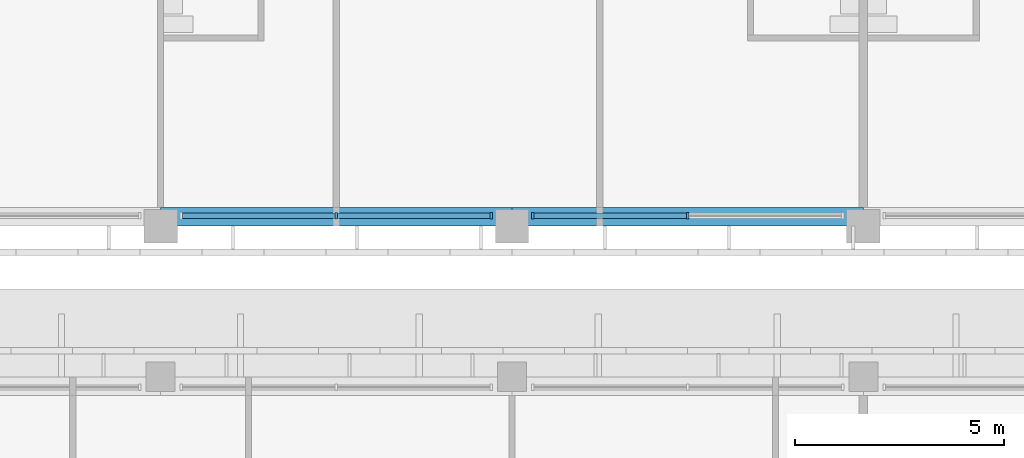
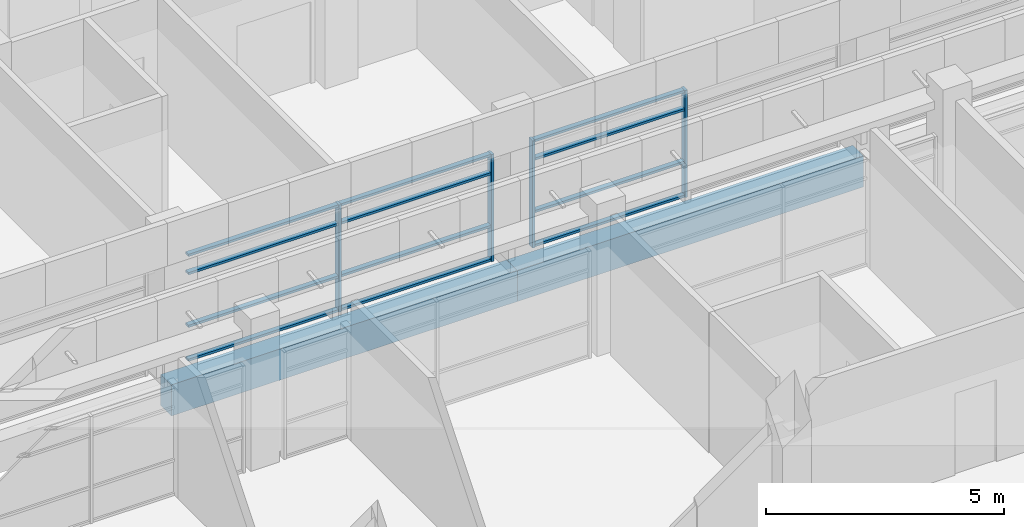
# One storey, part 8 of 71: 16 members, 2 beams, 2 elements without a shape of their own.
"""IFC4 building model written with IfcOpenShell, lengths in metres."""

from ifc_helpers import new_model, si_unit, direction, frame, origin, origin_2d, place, context, subcontext, project, spatial, rectangle, extrude, material, material_profile, profile_set, type_object, element, aggregate, save


model = new_model("IFC4")

# Units and contexts
model_context = context("Model", 3, precision=1e-05, world=origin(), true_north=direction((0.0, 1.0)))
body_context = subcontext(model_context, "Body", "Model", "MODEL_VIEW")
ifc_project = project(units=[si_unit("LENGTHUNIT", "METRE"), si_unit("AREAUNIT", "SQUARE_METRE"), si_unit("VOLUMEUNIT", "CUBIC_METRE"), si_unit("PLANEANGLEUNIT", "RADIAN"), si_unit("MASSUNIT", "GRAM", prefix="KILO")], contexts=[model_context])

# Site, building, storey
site_placement = place(None, origin())
site = spatial("IfcSite", under=ifc_project, at=site_placement, CompositionType="ELEMENT")
building_placement = place(site_placement, origin())
building = spatial("IfcBuilding", under=site, at=building_placement, Name="Bougainvillea Quay General Hospital", CompositionType="ELEMENT")
storey_placement = place(building_placement, frame((0.0, 0.0, 24.89990234375)))
storey = spatial("IfcBuildingStorey", under=building, at=storey_placement, Name="L05", CompositionType="ELEMENT", Elevation=24.89990234375)

# Curtain wall, members
ifc_material_1 = material(Name="Aluminium curtain wall system, powder-coated glazed", Category="aluminium")
curtain_wall_type = type_object("IfcCurtainWallType", Name="Unitised curtain wall CW-3730", PredefinedType="NOTDEFINED", material=ifc_material_1)
curtain_wall_1_placement = place(storey_placement, origin())
curtain_wall_1 = element("IfcCurtainWall", 1, at=curtain_wall_1_placement, inside=storey, type_object=curtain_wall_type, Name="CW-4200 02", PredefinedType="NOTDEFINED")
ifc_material_2 = material(Name="Aluminium mullion, powder-coated charcoal", Category="aluminium")
ifc_material_profile_1 = material_profile(ifc_material_2, rectangle(XDim=0.159912109375, YDim=0.06005859375, at=origin_2d()))
ifc_profile_set_1 = profile_set([ifc_material_profile_1], Name="Aluminium mullion, powder-coated charcoal")
member_type_1 = type_object("IfcMemberType", Name="Curtain wall mullion 160x60", PredefinedType="MULLION", material=ifc_profile_set_1)
member_1_placement = place(storey_placement, frame((96.60009765625, 140.64990234375, 0.0), z_axis=(0.0, 0.0, 1.0), x_axis=(0.0, 1.0, 0.0)))
member_1 = element("IfcMember", 2, at=member_1_placement, type_object=member_type_1, Name="CW-4200 mullion 2", PredefinedType="MULLION", context=body_context, shape_type="SweptSolid", body=[
    extrude(rectangle(XDim=0.159912109375, YDim=0.06005859375, at=origin_2d()), origin(), (0.0, 0.0, 1.0), 2.75),
])
member_2_placement = place(storey_placement, frame((100.300048828125, 140.64990234375, 0.0), z_axis=(0.0, 0.0, 1.0), x_axis=(0.0, 1.0, 0.0)))
member_2 = element("IfcMember", 3, at=member_2_placement, type_object=member_type_1, Name="CW-4200 mullion 3", PredefinedType="MULLION", context=body_context, shape_type="SweptSolid", body=[
    extrude(rectangle(XDim=0.159912109375, YDim=0.06005859375, at=origin_2d()), origin(), (0.0, 0.0, 1.0), 2.75),
])

curtain_wall_2_placement = place(storey_placement, origin())
curtain_wall_2 = element("IfcCurtainWall", 4, at=curtain_wall_2_placement, inside=storey, type_object=curtain_wall_type, Name="CW-4200 03", PredefinedType="NOTDEFINED")
member_3_placement = place(storey_placement, frame((101.300048828125, 140.64990234375, 0.0), z_axis=(0.0, 0.0, 1.0), x_axis=(0.0, 1.0, 0.0)))
member_3 = element("IfcMember", 5, at=member_3_placement, type_object=member_type_1, Name="CW-4200 mullion 1", PredefinedType="MULLION", context=body_context, shape_type="SweptSolid", body=[
    extrude(rectangle(XDim=0.159912109375, YDim=0.06005859375, at=origin_2d()), origin(), (0.0, 0.0, 1.0), 2.75),
])
member_4_placement = place(storey_placement, frame((105.0, 140.64990234375, 0.0), z_axis=(0.0, 0.0, 1.0), x_axis=(0.0, 1.0, 0.0)))
member_4 = element("IfcMember", 6, at=member_4_placement, type_object=member_type_1, Name="CW-4200 mullion 2", PredefinedType="MULLION", context=body_context, shape_type="SweptSolid", body=[
    extrude(rectangle(XDim=0.159912109375, YDim=0.06005859375, at=origin_2d()), origin(), (0.0, 0.0, 1.0), 2.75),
])

# Member
ifc_material_3 = material(Name="Aluminium transom, powder-coated charcoal", Category="aluminium")
ifc_material_profile_2 = material_profile(ifc_material_3, rectangle(XDim=0.1201171875, YDim=0.06005859375, at=origin_2d()))
ifc_profile_set_2 = profile_set([ifc_material_profile_2], Name="Aluminium transom, powder-coated charcoal")
member_type_2 = type_object("IfcMemberType", Name="Curtain wall transom 120x60", PredefinedType="USERDEFINED", material=ifc_profile_set_2)
member_5_placement = place(storey_placement, frame((92.929931640625, 140.64990234375, 0.030029296875), z_axis=(1.0, 0.0, 0.0), x_axis=(0.0, 1.0, 0.0)))
member_5 = element("IfcMember", 7, at=member_5_placement, type_object=member_type_2, Name="CW-4200 transom 1.1", ObjectType="TRANSOM", PredefinedType="USERDEFINED", context=body_context, shape_type="SweptSolid", body=[
    extrude(rectangle(XDim=0.1201171875, YDim=0.06005859375, at=origin_2d()), origin(), (0.0, 0.0, 1.0), 3.64013671875),
])

member_6_placement = place(storey_placement, frame((92.929931640625, 140.64990234375, 0.900146484375), z_axis=(1.0, 0.0, 0.0), x_axis=(0.0, 1.0, 0.0)))
member_6 = element("IfcMember", 8, at=member_6_placement, type_object=member_type_2, Name="CW-4200 transom 1.2", ObjectType="TRANSOM", PredefinedType="USERDEFINED", context=body_context, shape_type="SweptSolid", body=[
    extrude(rectangle(XDim=0.1201171875, YDim=0.06005859375, at=origin_2d()), origin(), (0.0, 0.0, 1.0), 3.64013671875),
])

member_7_placement = place(storey_placement, frame((92.929931640625, 140.64990234375, 2.25), z_axis=(1.0, 0.0, 0.0), x_axis=(0.0, 1.0, 0.0)))
member_7 = element("IfcMember", 9, at=member_7_placement, type_object=member_type_2, Name="CW-4200 transom 1.3", ObjectType="TRANSOM", PredefinedType="USERDEFINED", context=body_context, shape_type="SweptSolid", body=[
    extrude(rectangle(XDim=0.1201171875, YDim=0.06005859375, at=origin_2d()), origin(), (0.0, 0.0, 1.0), 3.64013671875),
])

member_8_placement = place(storey_placement, frame((92.929931640625, 140.64990234375, 2.72021484375), z_axis=(1.0, 0.0, 0.0), x_axis=(0.0, 1.0, 0.0)))
member_8 = element("IfcMember", 10, at=member_8_placement, type_object=member_type_2, Name="CW-4200 transom 1.4", ObjectType="TRANSOM", PredefinedType="USERDEFINED", context=body_context, shape_type="SweptSolid", body=[
    extrude(rectangle(XDim=0.1201171875, YDim=0.06005859375, at=origin_2d()), origin(), (0.0, 0.0, 1.0), 3.64013671875),
])

member_9_placement = place(storey_placement, frame((96.6298828125, 140.64990234375, 0.030029296875), z_axis=(1.0, 0.0, 0.0), x_axis=(0.0, 1.0, 0.0)))
member_9 = element("IfcMember", 11, at=member_9_placement, type_object=member_type_2, Name="CW-4200 transom 2.1", ObjectType="TRANSOM", PredefinedType="USERDEFINED", context=body_context, shape_type="SweptSolid", body=[
    extrude(rectangle(XDim=0.1201171875, YDim=0.06005859375, at=origin_2d()), origin(), (0.0, 0.0, 1.0), 3.64013671875),
])

member_10_placement = place(storey_placement, frame((96.6298828125, 140.64990234375, 0.900146484375), z_axis=(1.0, 0.0, 0.0), x_axis=(0.0, 1.0, 0.0)))
member_10 = element("IfcMember", 12, at=member_10_placement, type_object=member_type_2, Name="CW-4200 transom 2.2", ObjectType="TRANSOM", PredefinedType="USERDEFINED", context=body_context, shape_type="SweptSolid", body=[
    extrude(rectangle(XDim=0.1201171875, YDim=0.06005859375, at=origin_2d()), origin(), (0.0, 0.0, 1.0), 3.64013671875),
])

member_11_placement = place(storey_placement, frame((96.6298828125, 140.64990234375, 2.25), z_axis=(1.0, 0.0, 0.0), x_axis=(0.0, 1.0, 0.0)))
member_11 = element("IfcMember", 13, at=member_11_placement, type_object=member_type_2, Name="CW-4200 transom 2.3", ObjectType="TRANSOM", PredefinedType="USERDEFINED", context=body_context, shape_type="SweptSolid", body=[
    extrude(rectangle(XDim=0.1201171875, YDim=0.06005859375, at=origin_2d()), origin(), (0.0, 0.0, 1.0), 3.64013671875),
])

member_12_placement = place(storey_placement, frame((96.6298828125, 140.64990234375, 2.72021484375), z_axis=(1.0, 0.0, 0.0), x_axis=(0.0, 1.0, 0.0)))
member_12 = element("IfcMember", 14, at=member_12_placement, type_object=member_type_2, Name="CW-4200 transom 2.4", ObjectType="TRANSOM", PredefinedType="USERDEFINED", context=body_context, shape_type="SweptSolid", body=[
    extrude(rectangle(XDim=0.1201171875, YDim=0.06005859375, at=origin_2d()), origin(), (0.0, 0.0, 1.0), 3.64013671875),
])

aggregate(curtain_wall_1, [member_1, member_2, member_5, member_6, member_7, member_8, member_9, member_10, member_11, member_12])

member_13_placement = place(storey_placement, frame((101.330078125, 140.64990234375, 0.030029296875), z_axis=(1.0, 0.0, 0.0), x_axis=(0.0, 1.0, 0.0)))
member_13 = element("IfcMember", 15, at=member_13_placement, type_object=member_type_2, Name="CW-4200 transom 1.1", ObjectType="TRANSOM", PredefinedType="USERDEFINED", context=body_context, shape_type="SweptSolid", body=[
    extrude(rectangle(XDim=0.1201171875, YDim=0.06005859375, at=origin_2d()), origin(), (0.0, 0.0, 1.0), 3.639892578125),
])

member_14_placement = place(storey_placement, frame((101.330078125, 140.64990234375, 0.900146484375), z_axis=(1.0, 0.0, 0.0), x_axis=(0.0, 1.0, 0.0)))
member_14 = element("IfcMember", 16, at=member_14_placement, type_object=member_type_2, Name="CW-4200 transom 1.2", ObjectType="TRANSOM", PredefinedType="USERDEFINED", context=body_context, shape_type="SweptSolid", body=[
    extrude(rectangle(XDim=0.1201171875, YDim=0.06005859375, at=origin_2d()), origin(), (0.0, 0.0, 1.0), 3.639892578125),
])

member_15_placement = place(storey_placement, frame((101.330078125, 140.64990234375, 2.25), z_axis=(1.0, 0.0, 0.0), x_axis=(0.0, 1.0, 0.0)))
member_15 = element("IfcMember", 17, at=member_15_placement, type_object=member_type_2, Name="CW-4200 transom 1.3", ObjectType="TRANSOM", PredefinedType="USERDEFINED", context=body_context, shape_type="SweptSolid", body=[
    extrude(rectangle(XDim=0.1201171875, YDim=0.06005859375, at=origin_2d()), origin(), (0.0, 0.0, 1.0), 3.639892578125),
])

member_16_placement = place(storey_placement, frame((101.330078125, 140.64990234375, 2.72021484375), z_axis=(1.0, 0.0, 0.0), x_axis=(0.0, 1.0, 0.0)))
member_16 = element("IfcMember", 18, at=member_16_placement, type_object=member_type_2, Name="CW-4200 transom 1.4", ObjectType="TRANSOM", PredefinedType="USERDEFINED", context=body_context, shape_type="SweptSolid", body=[
    extrude(rectangle(XDim=0.1201171875, YDim=0.06005859375, at=origin_2d()), origin(), (0.0, 0.0, 1.0), 3.639892578125),
])

aggregate(curtain_wall_2, [member_3, member_4, member_13, member_14, member_15, member_16])

# Beams
ifc_material_4 = material(Name="Concrete C40", Category="concrete")
ifc_material_profile_3 = material_profile(ifc_material_4, rectangle(XDim=0.449951171875, YDim=0.800048828125, at=origin_2d()))
ifc_profile_set_3 = profile_set([ifc_material_profile_3], Name="Concrete C40")
beam_type = type_object("IfcBeamType", Name="RC BEAM 450x800 C40", PredefinedType="BEAM", material=ifc_profile_set_3)
beam_1_placement = place(storey_placement, frame((92.39990234375, 140.625, -0.699951171875), z_axis=(1.0, 0.0, 0.0), x_axis=(0.0, 1.0, 0.0)))
element("IfcBeam", 19, at=beam_1_placement, inside=storey, type_object=beam_type, Name="Edge beam L05", PredefinedType="BEAM", context=body_context, shape_type="SweptSolid", body=[
    extrude(rectangle(XDim=0.449951171875, YDim=0.800048828125, at=origin_2d()), origin(), (0.0, 0.0, 1.0), 8.400146484375),
])
beam_2_placement = place(storey_placement, frame((100.800048828125, 140.625, -0.699951171875), z_axis=(1.0, 0.0, 0.0), x_axis=(0.0, 1.0, 0.0)))
element("IfcBeam", 20, at=beam_2_placement, inside=storey, type_object=beam_type, Name="Edge beam L05", PredefinedType="BEAM", context=body_context, shape_type="SweptSolid", body=[
    extrude(rectangle(XDim=0.449951171875, YDim=0.800048828125, at=origin_2d()), origin(), (0.0, 0.0, 1.0), 8.39990234375),
])

save(model, "model.ifc")
